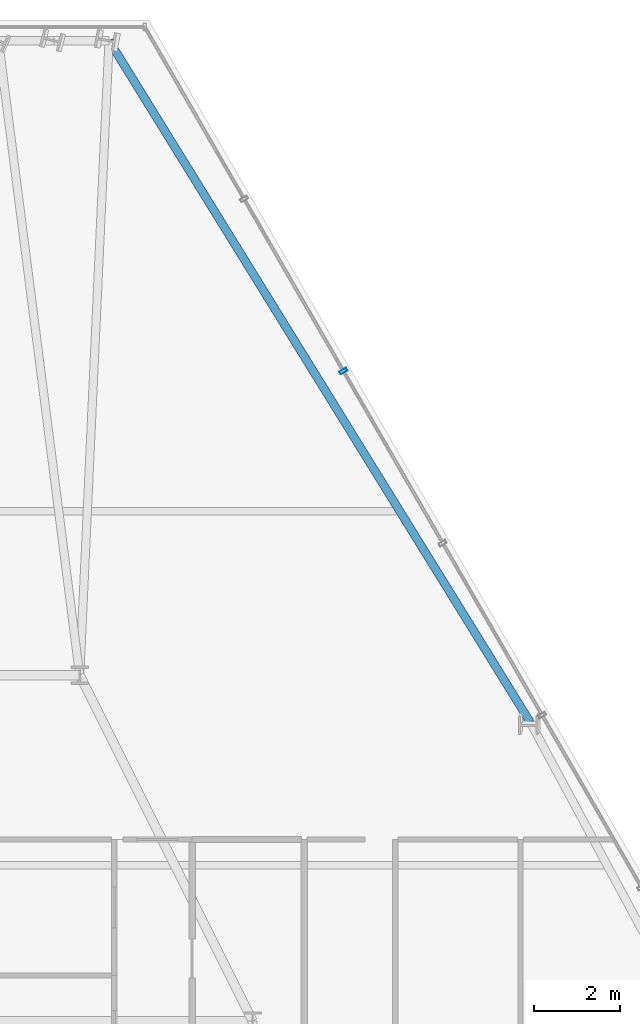
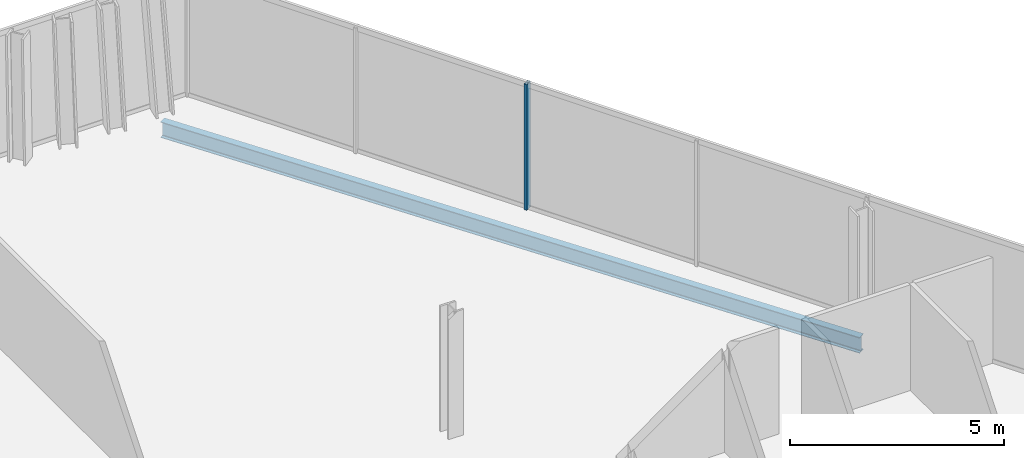
# One storey, part 25 of 33: 1 beam, 1 member, 1 element without a shape of its own.
"""IFC4 building model written with IfcOpenShell, lengths in metres."""

from ifc_helpers import new_model, si_unit, direction, frame, origin, origin_2d, place, context, subcontext, project, spatial, hollow_rectangle, i_section, extrude, material, layer, layer_set, material_profile, profile_set, type_object, element, aggregate, save


model = new_model("IFC4")

# Units and contexts
model_context = context("Model", 3, precision=1e-05, world=origin(), true_north=direction((0.0, 1.0)))
body_context = subcontext(model_context, "Body", "Model", "MODEL_VIEW")
ifc_project = project(units=[si_unit("LENGTHUNIT", "METRE"), si_unit("AREAUNIT", "SQUARE_METRE"), si_unit("VOLUMEUNIT", "CUBIC_METRE"), si_unit("PLANEANGLEUNIT", "RADIAN"), si_unit("MASSUNIT", "GRAM", prefix="KILO")], contexts=[model_context])

# Site, building, storey
site_placement = place(None, origin())
site = spatial("IfcSite", under=ifc_project, at=site_placement, CompositionType="ELEMENT")
building_placement = place(site_placement, origin())
building = spatial("IfcBuilding", under=site, at=building_placement, Name="Ndaravel Arena Tower", CompositionType="ELEMENT")
storey_placement = place(building_placement, frame((0.0, 0.0, 168.800048828125)))
storey = spatial("IfcBuildingStorey", under=building, at=storey_placement, Name="L40", CompositionType="ELEMENT", Elevation=168.800048828125)

# Beam
ifc_material_1 = material(Name="Steel S355", Category="steel")
ifc_material_profile_1 = material_profile(ifc_material_1, i_section(OverallWidth=0.18994140625, OverallDepth=0.449951171875, WebThickness=0.009521484375, FlangeThickness=0.0146484375, FilletRadius=0.02099609375, at=origin_2d()), Name="IPE 450")
ifc_profile_set_1 = profile_set([ifc_material_profile_1], Name="Steel S355")
beam_type = type_object("IfcBeamType", Name="BM-SPAN-IPE450", PredefinedType="SPANDREL", material=ifc_profile_set_1)
beam_placement = place(storey_placement, frame((56.22314453125, 30.114990234375, -0.445068359375), z_axis=(-0.525677399695, 0.850684002112, 0.0), x_axis=(-0.850684002112, -0.525677399695, 0.0)))
element("IfcBeam", 1, at=beam_placement, inside=storey, type_object=beam_type, Name="L40 Perimeter Spandrel Beam SP-10", PredefinedType="SPANDREL", context=body_context, shape_type="SweptSolid", body=[
    extrude(i_section(OverallWidth=0.18994140625, OverallDepth=0.449951171875, WebThickness=0.009521484375, FlangeThickness=0.0146484375, FilletRadius=0.02099609375, at=origin_2d()), origin(), (0.0, 0.0, 1.0), 18.533935546875),
])

# Curtain wall, member
ifc_material_2 = material(Name="Aluminium", Category="aluminium")
ifc_layer = layer(ifc_material_2, 0.179931640625)
ifc_layer_set = layer_set([ifc_layer], Name="Aluminium")
curtain_wall_type = type_object("IfcCurtainWallType", Name="CW-SYS-03", PredefinedType="NOTDEFINED", material=ifc_layer_set)
curtain_wall_placement = place(storey_placement, origin())
curtain_wall = element("IfcCurtainWall", 2, at=curtain_wall_placement, inside=storey, type_object=curtain_wall_type, Name="L40 Faceted Crystal Curtain Wall CW-L40-E03", PredefinedType="NOTDEFINED")
ifc_material_3 = material(Name="Aluminium", Category="aluminium")
ifc_material_profile_2 = material_profile(ifc_material_3, hollow_rectangle(XDim=0.074951171875, YDim=0.179931640625, WallThickness=0.00390625, at=origin_2d()), Name="CW MULLION 75x180x4")
ifc_profile_set_2 = profile_set([ifc_material_profile_2], Name="Aluminium")
member_type = type_object("IfcMemberType", Name="MEM-CW-MUL180", PredefinedType="MULLION", material=ifc_profile_set_2)
member_placement = place(storey_placement, frame((51.902587890625, 38.23828125, 0.0), z_axis=(0.0, 0.0, 1.0), x_axis=(-0.5, 0.866025403784, 0.0)))
member = element("IfcMember", 3, at=member_placement, type_object=member_type, Name="CW-L40-E03 Mullion 06", PredefinedType="MULLION", context=body_context, shape_type="SweptSolid", body=[
    extrude(hollow_rectangle(XDim=0.074951171875, YDim=0.179931640625, WallThickness=0.00390625, at=origin_2d()), origin(), (0.0, 0.0, 1.0), 3.579833984375),
])
aggregate(curtain_wall, [member])

save(model, "model.ifc")
